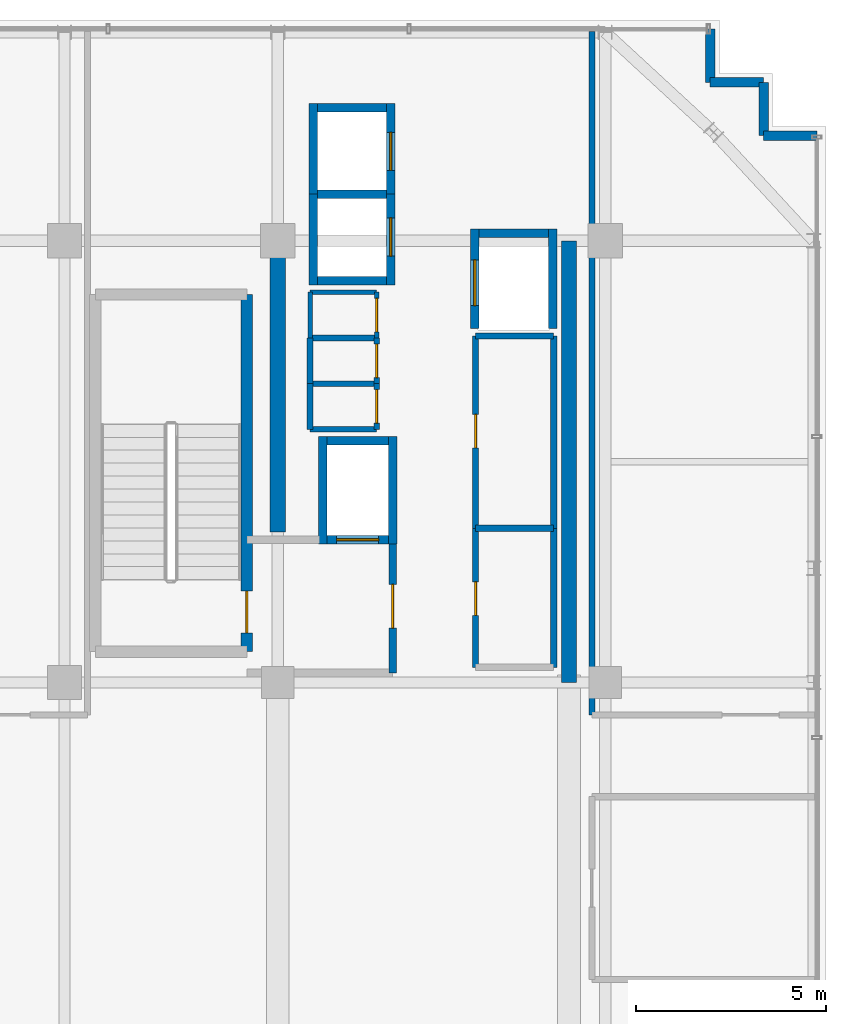
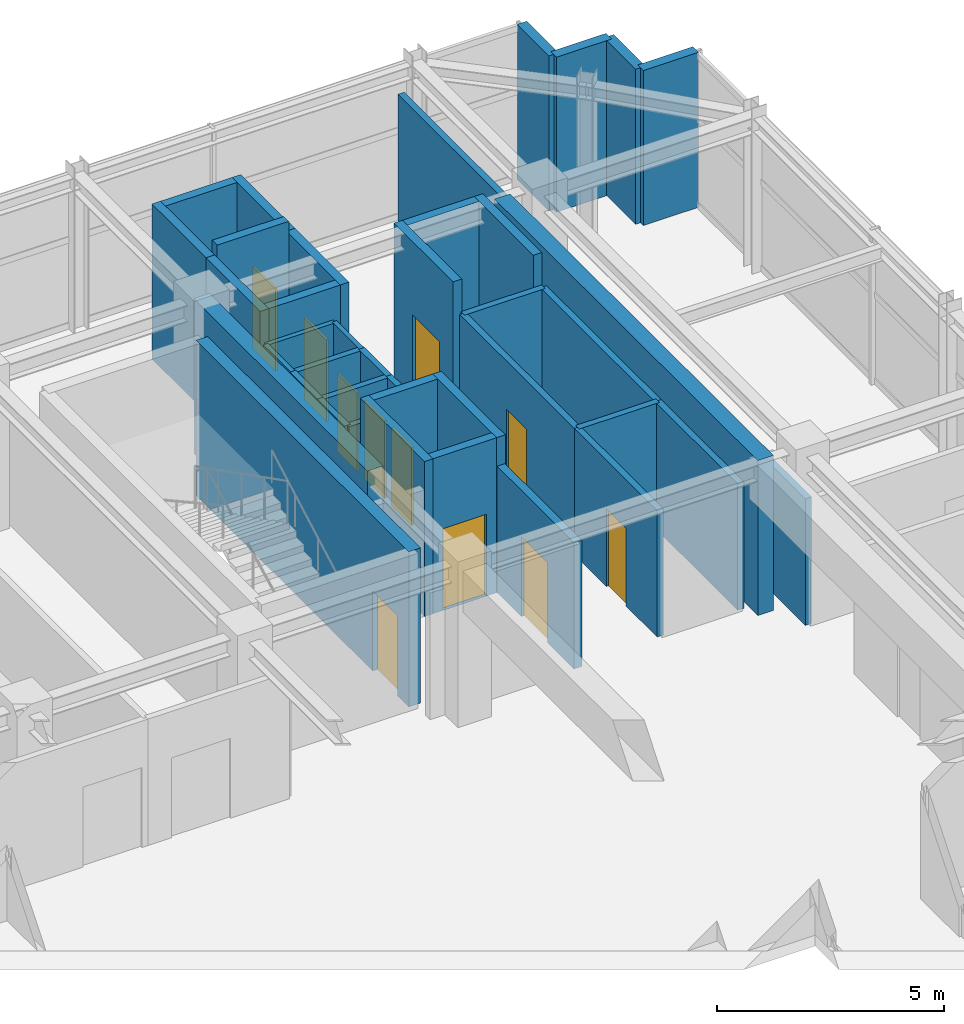
# One storey, part 21 of 25: 39 walls, 11 doors, 11 openings.
"""IFC4 building model written with IfcOpenShell, lengths in metres."""

from ifc_helpers import new_model, si_unit, direction, frame, frame_2d, origin, place, context, subcontext, project, spatial, rectangle, extrude, source, transform, mapped, material, layer, layer_set, type_object, element, fill, save


model = new_model("IFC4")

# Units and contexts
model_context = context("Model", 3, precision=1e-05, world=origin(), true_north=direction((0.0, 1.0)))
body_context = subcontext(model_context, "Body", "Model", "MODEL_VIEW")
ifc_project = project(units=[si_unit("LENGTHUNIT", "METRE"), si_unit("AREAUNIT", "SQUARE_METRE"), si_unit("VOLUMEUNIT", "CUBIC_METRE"), si_unit("PLANEANGLEUNIT", "RADIAN"), si_unit("MASSUNIT", "GRAM", prefix="KILO")], contexts=[model_context])

# Site, building, storey
site_placement = place(None, origin())
site = spatial("IfcSite", under=ifc_project, at=site_placement, CompositionType="ELEMENT")
building_placement = place(site_placement, origin())
building = spatial("IfcBuilding", under=site, at=building_placement, Name="Nahalor Promenade Grand Hotel", CompositionType="ELEMENT")
storey_placement = place(building_placement, frame((0.0, 0.0, 338.550048828125)))
storey = spatial("IfcBuildingStorey", under=building, at=storey_placement, Name="L87", CompositionType="ELEMENT", Elevation=338.550048828125)

# Walls
ifc_material_1 = material(Name="Concrete B-50 (C40/50)", Category="concrete")
ifc_layer_1 = layer(ifc_material_1, 0.39990234375)
ifc_layer_set_1 = layer_set([ifc_layer_1], Name="Concrete B-50 (C40/50)")
wall_type_1 = type_object("IfcWallType", Name="Wall-CoreShear-400", PredefinedType="SHEAR", material=ifc_layer_set_1)
shared_shape_1 = source(origin(), body_context, "Body", "SweptSolid", [
    extrude(rectangle(XDim=7.64990234375, YDim=0.39990234375, at=frame_2d((3.824951171875, 0.0))), origin(), (0.0, 0.0, 1.0), 4.169921875),
])
wall_1_placement = place(storey_placement, frame((8.39990234375, 9.35009765625, 0.0), z_axis=(0.0, 0.0, 1.0), x_axis=(0.0, 1.0, 0.0)))
element("IfcWall", 1, at=wall_1_placement, inside=storey, type_object=wall_type_1, Name="CWALL-L87-NW", PredefinedType="SHEAR", context=body_context, shape_type="MappedRepresentation", body=[
    mapped(shared_shape_1, transform((0.0, 0.0, 0.0), scale=1.0)),
])
shared_shape_2 = source(origin(), body_context, "Body", "SweptSolid", [
    extrude(rectangle(XDim=11.60009765625, YDim=0.39990234375, at=frame_2d((5.800048828125, 0.0))), origin(), (0.0, 0.0, 1.0), 4.169921875),
])
wall_2_placement = place(storey_placement, frame((16.050048828125, 5.39990234375, 0.0), z_axis=(0.0, 0.0, 1.0), x_axis=(0.0, 1.0, 0.0)))
element("IfcWall", 2, at=wall_2_placement, inside=storey, type_object=wall_type_1, Name="CWALL-L87-NE", PredefinedType="SHEAR", context=body_context, shape_type="MappedRepresentation", body=[
    mapped(shared_shape_2, transform((0.0, 0.0, 0.0), scale=1.0)),
])

# Wall, opening, door
ifc_layer_2 = layer(ifc_material_1, 0.300048828125)
ifc_layer_set_2 = layer_set([ifc_layer_2], Name="Concrete B-50 (C40/50)")
wall_type_2 = type_object("IfcWallType", Name="Wall-ShaftShear-300", PredefinedType="SHEAR", material=ifc_layer_set_2)
shared_shape_3 = source(origin(), body_context, "Body", "SweptSolid", [
    extrude(rectangle(XDim=9.380126953125, YDim=0.300048828125, at=frame_2d((4.68994140625, 0.0))), origin(), (0.0, 0.0, 1.0), 4.169921875),
])
wall_3_placement = place(storey_placement, frame((7.590087890625, 6.2099609375, 0.0), z_axis=(0.0, 0.0, 1.0), x_axis=(0.0, 1.0, 0.0)))
wall_3 = element("IfcWall", 3, at=wall_3_placement, inside=storey, type_object=wall_type_2, Name="L87 Exit Stair ST1 Shaft Wall E", PredefinedType="SHEAR", context=body_context, shape_type="MappedRepresentation", body=[
    mapped(shared_shape_3, transform((0.0, 0.0, 0.0), scale=1.0)),
])
opening_1_placement = place(wall_3_placement, frame((0.489990234375, 0.0, 0.0)))
opening_1 = element("IfcOpeningElement", 4, at=opening_1_placement, cuts=wall_3, Name="Opening D-ST1", PredefinedType="OPENING", context=body_context, shape_type="SweptSolid", body=[
    extrude(rectangle(XDim=1.10009765625, YDim=2.14990234375, at=frame_2d((0.550048828125, 1.074951171875))), frame((0.0, 0.159912109375, 0.0), z_axis=(0.0, -1.0, 0.0), x_axis=(1.0, 0.0, 0.0)), (0.0, 0.0, 1.0), 0.320068359375),
])
ifc_material_2 = material(Name="Steel S355JR", Category="steel")
door_type_1 = type_object("IfcDoorType", Name="Door-StairFire-1100", OperationType="NOTDEFINED", PredefinedType="DOOR", material=ifc_material_2)
shared_shape_4 = source(origin(), body_context, "Body", "SweptSolid", [
    extrude(rectangle(XDim=1.10009765625, YDim=2.14990234375, at=frame_2d((0.550048828125, 1.074951171875))), frame((0.0, 0.02490234375, 0.0), z_axis=(0.0, -1.0, 0.0), x_axis=(1.0, 0.0, 0.0)), (0.0, 0.0, 1.0), 0.050048828125),
])
door_1_placement = place(opening_1_placement, origin())
door_1 = element("IfcDoor", 5, at=door_1_placement, inside=storey, type_object=door_type_1, Name="DR-STAIR-ST1-L87", OperationType="SINGLE_SWING_RIGHT", OverallHeight=2.14990234375, OverallWidth=1.10009765625, PredefinedType="DOOR", context=body_context, shape_type="MappedRepresentation", body=[
    mapped(shared_shape_4, transform((0.0, 0.0, 0.0), scale=1.0)),
])
fill(opening_1, door_1)

# Walls
ifc_layer_3 = layer(ifc_material_1, 0.219970703125)
ifc_layer_set_3 = layer_set([ifc_layer_3], Name="Concrete B-50 (C40/50)")
wall_type_3 = type_object("IfcWallType", Name="Wall-LiftShaft-220", PredefinedType="SHEAR", material=ifc_layer_set_3)
shared_shape_5 = source(origin(), body_context, "Body", "SweptSolid", [
    extrude(rectangle(XDim=1.820068359375, YDim=0.219970703125, at=frame_2d((0.91015625, 0.0))), origin(), (0.0, 0.0, 1.0), 4.5),
])
wall_4_placement = place(storey_placement, frame((9.43994140625, 18.22509765625, 0.0), z_axis=(0.0, 0.0, 1.0), x_axis=(1.0, 0.0, 0.0)))
element("IfcWall", 6, at=wall_4_placement, inside=storey, type_object=wall_type_3, Name="L87 Lift OB1 Hoistway Wall N", PredefinedType="SHEAR", context=body_context, shape_type="MappedRepresentation", body=[
    mapped(shared_shape_5, transform((0.0, 0.0, 0.0), scale=1.0)),
])
shared_shape_6 = source(origin(), body_context, "Body", "SweptSolid", [
    extrude(rectangle(XDim=1.820068359375, YDim=0.219970703125, at=frame_2d((0.91015625, 0.0))), origin(), (0.0, 0.0, 1.0), 4.169921875),
])
for number, where, z_axis, x_axis, name in (
    (7, (9.43994140625, 15.949951171875, 0.0), (0.0, 0.0, 1.0), (1.0, 0.0, 0.0), "L87 Lift OB1 Hoistway Wall S"),
    (8, (9.43994140625, 20.5, 0.0), (0.0, 0.0, 1.0), (1.0, 0.0, 0.0), "L87 Lift OB2 Hoistway Wall N"),
    (9, (13.68994140625, 17.199951171875, 0.0), (0.0, 0.0, 1.0), (1.0, 0.0, 0.0), "L87 Lift SV1 Hoistway Wall N"),
):
    element("IfcWall", number, at=place(storey_placement, frame(where, z_axis=z_axis, x_axis=x_axis)), inside=storey, type_object=wall_type_3, Name=name, PredefinedType="SHEAR", context=body_context, shape_type="MappedRepresentation", body=[
        mapped(shared_shape_6, transform((0.0, 0.0, 0.0), scale=1.0)),
    ])
shared_shape_7 = source(origin(), body_context, "Body", "SweptSolid", [
    extrude(rectangle(XDim=2.385009765625, YDim=0.219970703125, at=frame_2d((1.1923828125, 0.0))), origin(), (0.0, 0.0, 1.0), 4.169921875),
])
wall_5_placement = place(storey_placement, frame((9.330078125, 15.840087890625, 0.0), z_axis=(0.0, 0.0, 1.0), x_axis=(0.0, 1.0, 0.0)))
element("IfcWall", 10, at=wall_5_placement, inside=storey, type_object=wall_type_3, Name="L87 Lift OB1 Hoistway Wall W", PredefinedType="SHEAR", context=body_context, shape_type="MappedRepresentation", body=[
    mapped(shared_shape_7, transform((0.0, 0.0, 0.0), scale=1.0)),
])

# Wall, opening, door
wall_6_placement = place(storey_placement, frame((11.3701171875, 15.840087890625, 0.0), z_axis=(0.0, 0.0, 1.0), x_axis=(0.0, 1.0, 0.0)))
wall_6 = element("IfcWall", 11, at=wall_6_placement, inside=storey, type_object=wall_type_3, Name="L87 Lift OB1 Hoistway Wall E", PredefinedType="SHEAR", context=body_context, shape_type="MappedRepresentation", body=[
    mapped(shared_shape_7, transform((0.0, 0.0, 0.0), scale=1.0)),
])
opening_2_placement = place(wall_6_placement, frame((0.760009765625, 0.0, 0.0)))
opening_2 = element("IfcOpeningElement", 12, at=opening_2_placement, cuts=wall_6, Name="Opening LD-01", PredefinedType="OPENING", context=body_context, shape_type="SweptSolid", body=[
    extrude(rectangle(XDim=1.0, YDim=2.199951171875, at=frame_2d((0.5, 1.10009765625))), frame((0.0, 0.119873046875, 0.0), z_axis=(0.0, -1.0, 0.0), x_axis=(1.0, 0.0, 0.0)), (0.0, 0.0, 1.0), 0.239990234375),
])
door_type_2 = type_object("IfcDoorType", Name="Door-LiftLanding-1000", OperationType="DOUBLE_DOOR_SLIDING", PredefinedType="DOOR", material=ifc_material_2)
shared_shape_8 = source(origin(), body_context, "Body", "SweptSolid", [
    extrude(rectangle(XDim=1.0, YDim=2.199951171875, at=frame_2d((0.5, 1.10009765625))), frame((0.0, 0.02490234375, 0.0), z_axis=(0.0, -1.0, 0.0), x_axis=(1.0, 0.0, 0.0)), (0.0, 0.0, 1.0), 0.050048828125),
])
door_2_placement = place(opening_2_placement, frame((1.0, 0.0, 0.0), z_axis=(0.0, 0.0, 1.0), x_axis=(-1.0, 0.0, 0.0)))
door_2 = element("IfcDoor", 13, at=door_2_placement, inside=storey, type_object=door_type_2, Name="DR-LIFT-OB1-L87", OperationType="DOUBLE_DOOR_SLIDING", OverallHeight=2.199951171875, OverallWidth=1.0, PredefinedType="DOOR", context=body_context, shape_type="MappedRepresentation", body=[
    mapped(shared_shape_8, transform((0.0, 0.0, 0.0), scale=1.0)),
])
fill(opening_2, door_2)

# Wall
wall_7_placement = place(storey_placement, frame((9.330078125, 18.22509765625, 0.0), z_axis=(0.0, 0.0, 1.0), x_axis=(0.0, 1.0, 0.0)))
element("IfcWall", 14, at=wall_7_placement, inside=storey, type_object=wall_type_3, Name="L87 Lift OB2 Hoistway Wall W", PredefinedType="SHEAR", context=body_context, shape_type="MappedRepresentation", body=[
    mapped(shared_shape_7, transform((0.0, 0.0, 0.0), scale=1.0)),
])

# Wall, opening, door
wall_8_placement = place(storey_placement, frame((11.3701171875, 18.22509765625, 0.0), z_axis=(0.0, 0.0, 1.0), x_axis=(0.0, 1.0, 0.0)))
wall_8 = element("IfcWall", 15, at=wall_8_placement, inside=storey, type_object=wall_type_3, Name="L87 Lift OB2 Hoistway Wall E", PredefinedType="SHEAR", context=body_context, shape_type="MappedRepresentation", body=[
    mapped(shared_shape_7, transform((0.0, 0.0, 0.0), scale=1.0)),
])
opening_3_placement = place(wall_8_placement, frame((0.625, 0.0, 0.0)))
opening_3 = element("IfcOpeningElement", 16, at=opening_3_placement, cuts=wall_8, Name="Opening LD-01", PredefinedType="OPENING", context=body_context, shape_type="SweptSolid", body=[
    extrude(rectangle(XDim=1.0, YDim=2.199951171875, at=frame_2d((0.5, 1.10009765625))), frame((0.0, 0.119873046875, 0.0), z_axis=(0.0, -1.0, 0.0), x_axis=(1.0, 0.0, 0.0)), (0.0, 0.0, 1.0), 0.239990234375),
])
door_3_placement = place(opening_3_placement, frame((1.0, 0.0, 0.0), z_axis=(0.0, 0.0, 1.0), x_axis=(-1.0, 0.0, 0.0)))
door_3 = element("IfcDoor", 17, at=door_3_placement, inside=storey, type_object=door_type_2, Name="DR-LIFT-OB2-L87", OperationType="DOUBLE_DOOR_SLIDING", OverallHeight=2.199951171875, OverallWidth=1.0, PredefinedType="DOOR", context=body_context, shape_type="MappedRepresentation", body=[
    mapped(shared_shape_8, transform((0.0, 0.0, 0.0), scale=1.0)),
])
fill(opening_3, door_3)

# Walls
shared_shape_9 = source(origin(), body_context, "Body", "SweptSolid", [
    extrude(rectangle(XDim=2.820068359375, YDim=0.219970703125, at=frame_2d((1.41015625, 0.0))), origin(), (0.0, 0.0, 1.0), 4.169921875),
])
for number, where, z_axis, x_axis, name in (
    (18, (9.580078125, 9.0400390625, 0.0), (0.0, 0.0, 1.0), (0.0, 1.0, 0.0), "L87 Lift FL1 Hoistway Wall W"),
    (19, (11.419921875, 9.0400390625, 0.0), (0.0, 0.0, 1.0), (0.0, 1.0, 0.0), "L87 Lift FL1 Hoistway Wall E"),
):
    element("IfcWall", number, at=place(storey_placement, frame(where, z_axis=z_axis, x_axis=x_axis)), inside=storey, type_object=wall_type_3, Name=name, PredefinedType="SHEAR", context=body_context, shape_type="MappedRepresentation", body=[
        mapped(shared_shape_9, transform((0.0, 0.0, 0.0), scale=1.0)),
    ])

# Wall, opening, door
shared_shape_10 = source(origin(), body_context, "Body", "SweptSolid", [
    extrude(rectangle(XDim=1.6201171875, YDim=0.219970703125, at=frame_2d((0.81005859375, 0.0))), origin(), (0.0, 0.0, 1.0), 4.169921875),
])
wall_9_placement = place(storey_placement, frame((9.68994140625, 9.14990234375, 0.0), z_axis=(0.0, 0.0, 1.0), x_axis=(1.0, 0.0, 0.0)))
wall_9 = element("IfcWall", 20, at=wall_9_placement, inside=storey, type_object=wall_type_3, Name="L87 Lift FL1 Hoistway Wall S", PredefinedType="SHEAR", context=body_context, shape_type="MappedRepresentation", body=[
    mapped(shared_shape_10, transform((0.0, 0.0, 0.0), scale=1.0)),
])
opening_4_placement = place(wall_9_placement, frame((0.260009765625, 0.0, 0.0)))
opening_4 = element("IfcOpeningElement", 21, at=opening_4_placement, cuts=wall_9, Name="Opening LD-02", PredefinedType="OPENING", context=body_context, shape_type="SweptSolid", body=[
    extrude(rectangle(XDim=1.10009765625, YDim=2.199951171875, at=frame_2d((0.550048828125, 1.10009765625))), frame((0.0, 0.119873046875, 0.0), z_axis=(0.0, -1.0, 0.0), x_axis=(1.0, 0.0, 0.0)), (0.0, 0.0, 1.0), 0.239990234375),
])
door_type_3 = type_object("IfcDoorType", Name="Door-LiftFF-1100", OperationType="DOUBLE_DOOR_SLIDING", PredefinedType="DOOR", material=ifc_material_2)
shared_shape_11 = source(origin(), body_context, "Body", "SweptSolid", [
    extrude(rectangle(XDim=1.10009765625, YDim=2.199951171875, at=frame_2d((0.550048828125, 1.10009765625))), frame((0.0, 0.02490234375, 0.0), z_axis=(0.0, -1.0, 0.0), x_axis=(1.0, 0.0, 0.0)), (0.0, 0.0, 1.0), 0.050048828125),
])
door_4_placement = place(opening_4_placement, frame((1.10009765625, 0.0, 0.0), z_axis=(0.0, 0.0, 1.0), x_axis=(-1.0, 0.0, 0.0)))
door_4 = element("IfcDoor", 22, at=door_4_placement, inside=storey, type_object=door_type_3, Name="DR-LIFT-FL1-L87", OperationType="DOUBLE_DOOR_SLIDING", OverallHeight=2.199951171875, OverallWidth=1.10009765625, PredefinedType="DOOR", context=body_context, shape_type="MappedRepresentation", body=[
    mapped(shared_shape_11, transform((0.0, 0.0, 0.0), scale=1.0)),
])
fill(opening_4, door_4)

# Wall
wall_10_placement = place(storey_placement, frame((9.68994140625, 11.75, 0.0), z_axis=(0.0, 0.0, 1.0), x_axis=(1.0, 0.0, 0.0)))
element("IfcWall", 23, at=wall_10_placement, inside=storey, type_object=wall_type_3, Name="L87 Lift FL1 Hoistway Wall N", PredefinedType="SHEAR", context=body_context, shape_type="MappedRepresentation", body=[
    mapped(shared_shape_10, transform((0.0, 0.0, 0.0), scale=1.0)),
])

# Wall, opening, door
shared_shape_12 = source(origin(), body_context, "Body", "SweptSolid", [
    extrude(rectangle(XDim=2.610107421875, YDim=0.219970703125, at=frame_2d((1.30517578125, 0.0))), origin(), (0.0, 0.0, 1.0), 4.169921875),
])
wall_11_placement = place(storey_placement, frame((13.580078125, 14.699951171875, 0.0), z_axis=(0.0, 0.0, 1.0), x_axis=(0.0, 1.0, 0.0)))
wall_11 = element("IfcWall", 24, at=wall_11_placement, inside=storey, type_object=wall_type_3, Name="L87 Lift SV1 Hoistway Wall W", PredefinedType="SHEAR", context=body_context, shape_type="MappedRepresentation", body=[
    mapped(shared_shape_12, transform((0.0, 0.0, 0.0), scale=1.0)),
])
opening_5_placement = place(wall_11_placement, frame((0.60009765625, 0.0, 0.0)))
opening_5 = element("IfcOpeningElement", 25, at=opening_5_placement, cuts=wall_11, Name="Opening LD-03", PredefinedType="OPENING", context=body_context, shape_type="SweptSolid", body=[
    extrude(rectangle(XDim=1.199951171875, YDim=2.199951171875, at=frame_2d((0.60009765625, 1.10009765625))), frame((0.0, 0.119873046875, 0.0), z_axis=(0.0, -1.0, 0.0), x_axis=(1.0, 0.0, 0.0)), (0.0, 0.0, 1.0), 0.239990234375),
])
door_type_4 = type_object("IfcDoorType", Name="Door-LiftService-1200", OperationType="DOUBLE_DOOR_SLIDING", PredefinedType="DOOR", material=ifc_material_2)
shared_shape_13 = source(origin(), body_context, "Body", "SweptSolid", [
    extrude(rectangle(XDim=1.199951171875, YDim=2.199951171875, at=frame_2d((0.60009765625, 1.10009765625))), frame((0.0, 0.02490234375, 0.0), z_axis=(0.0, -1.0, 0.0), x_axis=(1.0, 0.0, 0.0)), (0.0, 0.0, 1.0), 0.050048828125),
])
door_5_placement = place(opening_5_placement, origin())
door_5 = element("IfcDoor", 26, at=door_5_placement, inside=storey, type_object=door_type_4, Name="DR-LIFT-SV1-L87", OperationType="DOUBLE_DOOR_SLIDING", OverallHeight=2.199951171875, OverallWidth=1.199951171875, PredefinedType="DOOR", context=body_context, shape_type="MappedRepresentation", body=[
    mapped(shared_shape_13, transform((0.0, 0.0, 0.0), scale=1.0)),
])
fill(opening_5, door_5)

# Walls
wall_12_placement = place(storey_placement, frame((15.6201171875, 14.699951171875, 0.0), z_axis=(0.0, 0.0, 1.0), x_axis=(0.0, 1.0, 0.0)))
element("IfcWall", 27, at=wall_12_placement, inside=storey, type_object=wall_type_3, Name="L87 Lift SV1 Hoistway Wall E", PredefinedType="SHEAR", context=body_context, shape_type="MappedRepresentation", body=[
    mapped(shared_shape_12, transform((0.0, 0.0, 0.0), scale=1.0)),
])
ifc_material_3 = material(Name="Concrete B-40 (C32/40)", Category="concrete")
ifc_layer_4 = layer(ifc_material_3, 0.25)
ifc_layer_set_4 = layer_set([ifc_layer_4], Name="Concrete B-40 (C32/40)")
wall_type_4 = type_object("IfcWallType", Name="Wall-BronzePier-250", PredefinedType="STANDARD", material=ifc_layer_set_4)
shared_shape_14 = source(origin(), body_context, "Body", "SweptSolid", [
    extrude(rectangle(XDim=1.400146484375, YDim=0.25, at=frame_2d((0.7001953125, 0.0))), origin(), (0.0, 0.0, 1.0), 4.169921875),
])
for number, where, z_axis, x_axis, name in (
    (28, (21.159912109375, 19.760009765625, 0.0), (0.0, 0.0, 1.0), (1.0, 0.0, 0.0), "W-L87-SR-05"),
    (29, (19.760009765625, 21.159912109375, 0.0), (0.0, 0.0, 1.0), (0.0, 1.0, 0.0), "W-L87-SR-08"),
):
    element("IfcWall", number, at=place(storey_placement, frame(where, z_axis=z_axis, x_axis=x_axis)), inside=storey, type_object=wall_type_4, Name=name, PredefinedType="STANDARD", context=body_context, shape_type="MappedRepresentation", body=[
        mapped(shared_shape_14, transform((0.0, 0.0, 0.0), scale=1.0)),
    ])
shared_shape_15 = source(origin(), body_context, "Body", "SweptSolid", [
    extrude(rectangle(XDim=1.39990234375, YDim=0.25, at=frame_2d((0.699951171875, 0.0))), origin(), (0.0, 0.0, 1.0), 4.169921875),
])
for number, where, z_axis, x_axis, name in (
    (30, (21.159912109375, 19.760009765625, 0.0), (0.0, 0.0, 1.0), (0.0, 1.0, 0.0), "W-L87-SR-06"),
    (31, (19.760009765625, 21.159912109375, 0.0), (0.0, 0.0, 1.0), (1.0, 0.0, 0.0), "W-L87-SR-07"),
):
    element("IfcWall", number, at=place(storey_placement, frame(where, z_axis=z_axis, x_axis=x_axis)), inside=storey, type_object=wall_type_4, Name=name, PredefinedType="STANDARD", context=body_context, shape_type="MappedRepresentation", body=[
        mapped(shared_shape_15, transform((0.0, 0.0, 0.0), scale=1.0)),
    ])

# Wall, opening, door
ifc_layer_5 = layer(ifc_material_3, 0.199951171875)
ifc_layer_set_5 = layer_set([ifc_layer_5], Name="Concrete B-40 (C32/40)")
wall_type_5 = type_object("IfcWallType", Name="Wall-PartFire-200", PredefinedType="PARTITIONING", material=ifc_layer_set_5)
shared_shape_16 = source(origin(), body_context, "Body", "SweptSolid", [
    extrude(rectangle(XDim=3.5, YDim=0.199951171875, at=frame_2d((1.75, 0.0))), origin(), (0.0, 0.0, 1.0), 3.39990234375),
])
wall_13_placement = place(storey_placement, frame((11.419921875, 5.64990234375, 0.0), z_axis=(0.0, 0.0, 1.0), x_axis=(0.0, 1.0, 0.0)))
wall_13 = element("IfcWall", 32, at=wall_13_placement, inside=storey, type_object=wall_type_5, Name="W-L87-FF1-E", PredefinedType="PARTITIONING", context=body_context, shape_type="MappedRepresentation", body=[
    mapped(shared_shape_16, transform((0.0, 0.0, 0.0), scale=1.0)),
])
opening_6_placement = place(wall_13_placement, frame((1.175048828125, 0.0, 0.0)))
opening_6 = element("IfcOpeningElement", 33, at=opening_6_placement, cuts=wall_13, Name="Opening D-FF1", PredefinedType="OPENING", context=body_context, shape_type="SweptSolid", body=[
    extrude(rectangle(XDim=1.14990234375, YDim=2.14990234375, at=frame_2d((0.574951171875, 1.074951171875))), frame((0.0, 0.10986328125, 0.0), z_axis=(0.0, -1.0, 0.0), x_axis=(1.0, 0.0, 0.0)), (0.0, 0.0, 1.0), 0.219970703125),
])
door_type_5 = type_object("IfcDoorType", Name="Door-FFLobby-1150", OperationType="NOTDEFINED", PredefinedType="DOOR", material=ifc_material_2)
shared_shape_17 = source(origin(), body_context, "Body", "SweptSolid", [
    extrude(rectangle(XDim=1.14990234375, YDim=2.14990234375, at=frame_2d((0.574951171875, 1.074951171875))), frame((0.0, 0.02490234375, 0.0), z_axis=(0.0, -1.0, 0.0), x_axis=(1.0, 0.0, 0.0)), (0.0, 0.0, 1.0), 0.050048828125),
])
door_6_placement = place(opening_6_placement, frame((1.14990234375, 0.0, 0.0), z_axis=(0.0, 0.0, 1.0), x_axis=(-1.0, 0.0, 0.0)))
door_6 = element("IfcDoor", 34, at=door_6_placement, inside=storey, type_object=door_type_5, Name="DR-L87-FFL1", OperationType="SINGLE_SWING_LEFT", OverallHeight=2.14990234375, OverallWidth=1.14990234375, PredefinedType="DOOR", context=body_context, shape_type="MappedRepresentation", body=[
    mapped(shared_shape_17, transform((0.0, 0.0, 0.0), scale=1.0)),
])
fill(opening_6, door_6)

# Walls
ifc_material_4 = material(Name="Acoustic Mineral Gypsum", Category="gypsum")
ifc_layer_6 = layer(ifc_material_4, 0.14990234375)
ifc_layer_set_6 = layer_set([ifc_layer_6], Name="Acoustic Mineral Gypsum")
wall_type_6 = type_object("IfcWallType", Name="Wall-PartService-150", PredefinedType="PARTITIONING", material=ifc_layer_set_6)
shared_shape_18 = source(origin(), body_context, "Body", "SweptSolid", [
    extrude(rectangle(XDim=1.75, YDim=0.14990234375, at=frame_2d((0.875, 0.0))), origin(), (0.0, 0.0, 1.0), 3.39990234375),
])
for number, where, z_axis, x_axis, name in (
    (35, (9.25, 12.050048828125, 0.0), (0.0, 0.0, 1.0), (1.0, 0.0, 0.0), "W-L87-CK3A-S"),
    (36, (9.25, 13.25, 0.0), (0.0, 0.0, 1.0), (1.0, 0.0, 0.0), "W-L87-CK3A-N"),
    (37, (9.25, 14.449951171875, 0.0), (0.0, 0.0, 1.0), (1.0, 0.0, 0.0), "W-L87-CK3B-N"),
):
    element("IfcWall", number, at=place(storey_placement, frame(where, z_axis=z_axis, x_axis=x_axis)), inside=storey, type_object=wall_type_6, Name=name, PredefinedType="PARTITIONING", context=body_context, shape_type="MappedRepresentation", body=[
        mapped(shared_shape_18, transform((0.0, 0.0, 0.0), scale=1.0)),
    ])
ifc_layer_7 = layer(ifc_material_4, 0.1201171875)
ifc_layer_set_7 = layer_set([ifc_layer_7], Name="Acoustic Mineral Gypsum")
wall_type_7 = type_object("IfcWallType", Name="Wall-PartBath-120", PredefinedType="PARTITIONING", material=ifc_layer_set_7)
shared_shape_19 = source(origin(), body_context, "Body", "SweptSolid", [
    extrude(rectangle(XDim=1.75, YDim=0.1201171875, at=frame_2d((0.875, 0.0))), origin(), (0.0, 0.0, 1.0), 3.39990234375),
])
wall_14_placement = place(storey_placement, frame((9.25, 15.64990234375, 0.0), z_axis=(0.0, 0.0, 1.0), x_axis=(1.0, 0.0, 0.0)))
element("IfcWall", 38, at=wall_14_placement, inside=storey, type_object=wall_type_7, Name="W-L87-CK3C-N", PredefinedType="PARTITIONING", context=body_context, shape_type="MappedRepresentation", body=[
    mapped(shared_shape_19, transform((0.0, 0.0, 0.0), scale=1.0)),
])
shared_shape_20 = source(origin(), body_context, "Body", "SweptSolid", [
    extrude(rectangle(XDim=1.199951171875, YDim=0.14990234375, at=frame_2d((0.60009765625, 0.0))), origin(), (0.0, 0.0, 1.0), 3.39990234375),
])
wall_15_placement = place(storey_placement, frame((9.25, 12.050048828125, 0.0), z_axis=(0.0, 0.0, 1.0), x_axis=(0.0, 1.0, 0.0)))
element("IfcWall", 39, at=wall_15_placement, inside=storey, type_object=wall_type_6, Name="W-L87-CK3A-W", PredefinedType="PARTITIONING", context=body_context, shape_type="MappedRepresentation", body=[
    mapped(shared_shape_20, transform((0.0, 0.0, 0.0), scale=1.0)),
])

# Wall, opening, door
wall_16_placement = place(storey_placement, frame((11.0, 12.050048828125, 0.0), z_axis=(0.0, 0.0, 1.0), x_axis=(0.0, 1.0, 0.0)))
wall_16 = element("IfcWall", 40, at=wall_16_placement, inside=storey, type_object=wall_type_6, Name="W-L87-CK3A-E", PredefinedType="PARTITIONING", context=body_context, shape_type="MappedRepresentation", body=[
    mapped(shared_shape_20, transform((0.0, 0.0, 0.0), scale=1.0)),
])
opening_7_placement = place(wall_16_placement, frame((0.159912109375, 0.0, 0.0)))
opening_7 = element("IfcOpeningElement", 41, at=opening_7_placement, cuts=wall_16, Name="Opening D-03", PredefinedType="OPENING", context=body_context, shape_type="SweptSolid", body=[
    extrude(rectangle(XDim=0.8798828125, YDim=2.10009765625, at=frame_2d((0.43994140625, 1.050048828125))), frame((0.0, 0.0849609375, 0.0), z_axis=(0.0, -1.0, 0.0), x_axis=(1.0, 0.0, 0.0)), (0.0, 0.0, 1.0), 0.169921875),
])
ifc_material_5 = material(Name="Fire-Rated Timber Composite", Category="wood")
door_type_6 = type_object("IfcDoorType", Name="Door-BathSwing-880", OperationType="NOTDEFINED", PredefinedType="DOOR", material=ifc_material_5)
shared_shape_21 = source(origin(), body_context, "Body", "SweptSolid", [
    extrude(rectangle(XDim=0.8798828125, YDim=2.10009765625, at=frame_2d((0.43994140625, 1.050048828125))), frame((0.0, 0.02490234375, 0.0), z_axis=(0.0, -1.0, 0.0), x_axis=(1.0, 0.0, 0.0)), (0.0, 0.0, 1.0), 0.050048828125),
])
door_7_placement = place(opening_7_placement, origin())
door_7 = element("IfcDoor", 42, at=door_7_placement, inside=storey, type_object=door_type_6, Name="DR-L87-CK3A", OperationType="SINGLE_SWING_LEFT", OverallHeight=2.10009765625, OverallWidth=0.8798828125, PredefinedType="DOOR", context=body_context, shape_type="MappedRepresentation", body=[
    mapped(shared_shape_21, transform((0.0, 0.0, 0.0), scale=1.0)),
])
fill(opening_7, door_7)

# Wall
wall_17_placement = place(storey_placement, frame((9.25, 13.25, 0.0), z_axis=(0.0, 0.0, 1.0), x_axis=(0.0, 1.0, 0.0)))
element("IfcWall", 43, at=wall_17_placement, inside=storey, type_object=wall_type_6, Name="W-L87-CK3B-W", PredefinedType="PARTITIONING", context=body_context, shape_type="MappedRepresentation", body=[
    mapped(shared_shape_20, transform((0.0, 0.0, 0.0), scale=1.0)),
])

# Wall, opening, door
wall_18_placement = place(storey_placement, frame((11.0, 13.25, 0.0), z_axis=(0.0, 0.0, 1.0), x_axis=(0.0, 1.0, 0.0)))
wall_18 = element("IfcWall", 44, at=wall_18_placement, inside=storey, type_object=wall_type_6, Name="W-L87-CK3B-E", PredefinedType="PARTITIONING", context=body_context, shape_type="MappedRepresentation", body=[
    mapped(shared_shape_20, transform((0.0, 0.0, 0.0), scale=1.0)),
])
opening_8_placement = place(wall_18_placement, frame((0.159912109375, 0.0, 0.0)))
opening_8 = element("IfcOpeningElement", 45, at=opening_8_placement, cuts=wall_18, Name="Opening D-03", PredefinedType="OPENING", context=body_context, shape_type="SweptSolid", body=[
    extrude(rectangle(XDim=0.8798828125, YDim=2.10009765625, at=frame_2d((0.43994140625, 1.050048828125))), frame((0.0, 0.0849609375, 0.0), z_axis=(0.0, -1.0, 0.0), x_axis=(1.0, 0.0, 0.0)), (0.0, 0.0, 1.0), 0.169921875),
])
door_8_placement = place(opening_8_placement, origin())
door_8 = element("IfcDoor", 46, at=door_8_placement, inside=storey, type_object=door_type_6, Name="DR-L87-CK3B", OperationType="SINGLE_SWING_RIGHT", OverallHeight=2.10009765625, OverallWidth=0.8798828125, PredefinedType="DOOR", context=body_context, shape_type="MappedRepresentation", body=[
    mapped(shared_shape_21, transform((0.0, 0.0, 0.0), scale=1.0)),
])
fill(opening_8, door_8)

# Wall
shared_shape_22 = source(origin(), body_context, "Body", "SweptSolid", [
    extrude(rectangle(XDim=1.199951171875, YDim=0.1201171875, at=frame_2d((0.60009765625, 0.0))), origin(), (0.0, 0.0, 1.0), 3.39990234375),
])
wall_19_placement = place(storey_placement, frame((9.25, 14.449951171875, 0.0), z_axis=(0.0, 0.0, 1.0), x_axis=(0.0, 1.0, 0.0)))
element("IfcWall", 47, at=wall_19_placement, inside=storey, type_object=wall_type_7, Name="W-L87-CK3C-W", PredefinedType="PARTITIONING", context=body_context, shape_type="MappedRepresentation", body=[
    mapped(shared_shape_22, transform((0.0, 0.0, 0.0), scale=1.0)),
])

# Wall, opening, door
wall_20_placement = place(storey_placement, frame((11.0, 14.449951171875, 0.0), z_axis=(0.0, 0.0, 1.0), x_axis=(0.0, 1.0, 0.0)))
wall_20 = element("IfcWall", 48, at=wall_20_placement, inside=storey, type_object=wall_type_7, Name="W-L87-CK3C-E", PredefinedType="PARTITIONING", context=body_context, shape_type="MappedRepresentation", body=[
    mapped(shared_shape_22, transform((0.0, 0.0, 0.0), scale=1.0)),
])
opening_9_placement = place(wall_20_placement, frame((0.159912109375, 0.0, 0.0)))
opening_9 = element("IfcOpeningElement", 49, at=opening_9_placement, cuts=wall_20, Name="Opening D-03", PredefinedType="OPENING", context=body_context, shape_type="SweptSolid", body=[
    extrude(rectangle(XDim=0.8798828125, YDim=2.10009765625, at=frame_2d((0.43994140625, 1.050048828125))), frame((0.0, 0.070068359375, 0.0), z_axis=(0.0, -1.0, 0.0), x_axis=(1.0, 0.0, 0.0)), (0.0, 0.0, 1.0), 0.14013671875),
])
door_9_placement = place(opening_9_placement, origin())
door_9 = element("IfcDoor", 50, at=door_9_placement, inside=storey, type_object=door_type_6, Name="DR-L87-CK3C", OperationType="SINGLE_SWING_LEFT", OverallHeight=2.10009765625, OverallWidth=0.8798828125, PredefinedType="DOOR", context=body_context, shape_type="MappedRepresentation", body=[
    mapped(shared_shape_21, transform((0.0, 0.0, 0.0), scale=1.0)),
])
fill(opening_9, door_9)

# Walls
ifc_layer_8 = layer(ifc_material_4, 0.159912109375)
ifc_layer_set_8 = layer_set([ifc_layer_8], Name="Acoustic Mineral Gypsum")
wall_type_8 = type_object("IfcWallType", Name="Wall-PartCorridor-160", PredefinedType="PARTITIONING", material=ifc_layer_set_8)
shared_shape_23 = source(origin(), body_context, "Body", "SweptSolid", [
    extrude(rectangle(XDim=2.0498046875, YDim=0.159912109375, at=frame_2d((1.02490234375, 0.0))), origin(), (0.0, 0.0, 1.0), 3.39990234375),
])
for number, where, z_axis, x_axis, name in (
    (51, (13.60009765625, 9.449951171875, 0.0), (0.0, 0.0, 1.0), (1.0, 0.0, 0.0), "W-L87-FRB1A-N"),
    (52, (13.60009765625, 14.5, 0.0), (0.0, 0.0, 1.0), (1.0, 0.0, 0.0), "W-L87-FRB1B-N"),
):
    element("IfcWall", number, at=place(storey_placement, frame(where, z_axis=z_axis, x_axis=x_axis)), inside=storey, type_object=wall_type_8, Name=name, PredefinedType="PARTITIONING", context=body_context, shape_type="MappedRepresentation", body=[
        mapped(shared_shape_23, transform((0.0, 0.0, 0.0), scale=1.0)),
    ])

# Wall, opening, door
shared_shape_24 = source(origin(), body_context, "Body", "SweptSolid", [
    extrude(rectangle(XDim=3.64990234375, YDim=0.159912109375, at=frame_2d((1.824951171875, 0.0))), origin(), (0.0, 0.0, 1.0), 3.39990234375),
])
wall_21_placement = place(storey_placement, frame((13.60009765625, 5.800048828125, 0.0), z_axis=(0.0, 0.0, 1.0), x_axis=(0.0, 1.0, 0.0)))
wall_21 = element("IfcWall", 53, at=wall_21_placement, inside=storey, type_object=wall_type_8, Name="W-L87-FRB1A-W", PredefinedType="PARTITIONING", context=body_context, shape_type="MappedRepresentation", body=[
    mapped(shared_shape_24, transform((0.0, 0.0, 0.0), scale=1.0)),
])
opening_10_placement = place(wall_21_placement, frame((1.360107421875, 0.0, 0.0)))
opening_10 = element("IfcOpeningElement", 54, at=opening_10_placement, cuts=wall_21, Name="Opening D-03", PredefinedType="OPENING", context=body_context, shape_type="SweptSolid", body=[
    extrude(rectangle(XDim=0.8798828125, YDim=2.10009765625, at=frame_2d((0.43994140625, 1.050048828125))), frame((0.0, 0.08984375, 0.0), z_axis=(0.0, -1.0, 0.0), x_axis=(1.0, 0.0, 0.0)), (0.0, 0.0, 1.0), 0.179931640625),
])
door_10_placement = place(opening_10_placement, frame((0.8798828125, 0.0, 0.0), z_axis=(0.0, 0.0, 1.0), x_axis=(-1.0, 0.0, 0.0)))
door_10 = element("IfcDoor", 55, at=door_10_placement, inside=storey, type_object=door_type_6, Name="DR-L87-FRB1A", OperationType="SINGLE_SWING_RIGHT", OverallHeight=2.10009765625, OverallWidth=0.8798828125, PredefinedType="DOOR", context=body_context, shape_type="MappedRepresentation", body=[
    mapped(shared_shape_21, transform((0.0, 0.0, 0.0), scale=1.0)),
])
fill(opening_10, door_10)

# Wall
wall_22_placement = place(storey_placement, frame((15.64990234375, 5.800048828125, 0.0), z_axis=(0.0, 0.0, 1.0), x_axis=(0.0, 1.0, 0.0)))
element("IfcWall", 56, at=wall_22_placement, inside=storey, type_object=wall_type_8, Name="W-L87-FRB1A-E", PredefinedType="PARTITIONING", context=body_context, shape_type="MappedRepresentation", body=[
    mapped(shared_shape_24, transform((0.0, 0.0, 0.0), scale=1.0)),
])

# Wall, opening, door
shared_shape_25 = source(origin(), body_context, "Body", "SweptSolid", [
    extrude(rectangle(XDim=5.050048828125, YDim=0.159912109375, at=frame_2d((2.52490234375, 0.0))), origin(), (0.0, 0.0, 1.0), 3.39990234375),
])
wall_23_placement = place(storey_placement, frame((13.60009765625, 9.449951171875, 0.0), z_axis=(0.0, 0.0, 1.0), x_axis=(0.0, 1.0, 0.0)))
wall_23 = element("IfcWall", 57, at=wall_23_placement, inside=storey, type_object=wall_type_8, Name="W-L87-FRB1B-W", PredefinedType="PARTITIONING", context=body_context, shape_type="MappedRepresentation", body=[
    mapped(shared_shape_25, transform((0.0, 0.0, 0.0), scale=1.0)),
])
opening_11_placement = place(wall_23_placement, frame((2.110107421875, 0.0, 0.0)))
opening_11 = element("IfcOpeningElement", 58, at=opening_11_placement, cuts=wall_23, Name="Opening D-03", PredefinedType="OPENING", context=body_context, shape_type="SweptSolid", body=[
    extrude(rectangle(XDim=0.8798828125, YDim=2.10009765625, at=frame_2d((0.43994140625, 1.050048828125))), frame((0.0, 0.08984375, 0.0), z_axis=(0.0, -1.0, 0.0), x_axis=(1.0, 0.0, 0.0)), (0.0, 0.0, 1.0), 0.179931640625),
])
door_11_placement = place(opening_11_placement, frame((0.8798828125, 0.0, 0.0), z_axis=(0.0, 0.0, 1.0), x_axis=(-1.0, 0.0, 0.0)))
door_11 = element("IfcDoor", 59, at=door_11_placement, inside=storey, type_object=door_type_6, Name="DR-L87-FRB1B", OperationType="SINGLE_SWING_LEFT", OverallHeight=2.10009765625, OverallWidth=0.8798828125, PredefinedType="DOOR", context=body_context, shape_type="MappedRepresentation", body=[
    mapped(shared_shape_21, transform((0.0, 0.0, 0.0), scale=1.0)),
])
fill(opening_11, door_11)

# Walls
wall_24_placement = place(storey_placement, frame((15.64990234375, 9.449951171875, 0.0), z_axis=(0.0, 0.0, 1.0), x_axis=(0.0, 1.0, 0.0)))
element("IfcWall", 60, at=wall_24_placement, inside=storey, type_object=wall_type_8, Name="W-L87-FRB1B-E", PredefinedType="PARTITIONING", context=body_context, shape_type="MappedRepresentation", body=[
    mapped(shared_shape_25, transform((0.0, 0.0, 0.0), scale=1.0)),
])
shared_shape_26 = source(origin(), body_context, "Body", "SweptSolid", [
    extrude(rectangle(XDim=17.949951171875, YDim=0.159912109375, at=frame_2d((8.97509765625, 0.0))), origin(), (0.0, 0.0, 1.0), 3.39990234375),
])
wall_25_placement = place(storey_placement, frame((16.64990234375, 4.550048828125, 0.0), z_axis=(0.0, 0.0, 1.0), x_axis=(0.0, 1.0, 0.0)))
element("IfcWall", 61, at=wall_25_placement, inside=storey, type_object=wall_type_8, Name="W-L87-SK06-W", PredefinedType="PARTITIONING", context=body_context, shape_type="MappedRepresentation", body=[
    mapped(shared_shape_26, transform((0.0, 0.0, 0.0), scale=1.0)),
])

save(model, "model.ifc")
